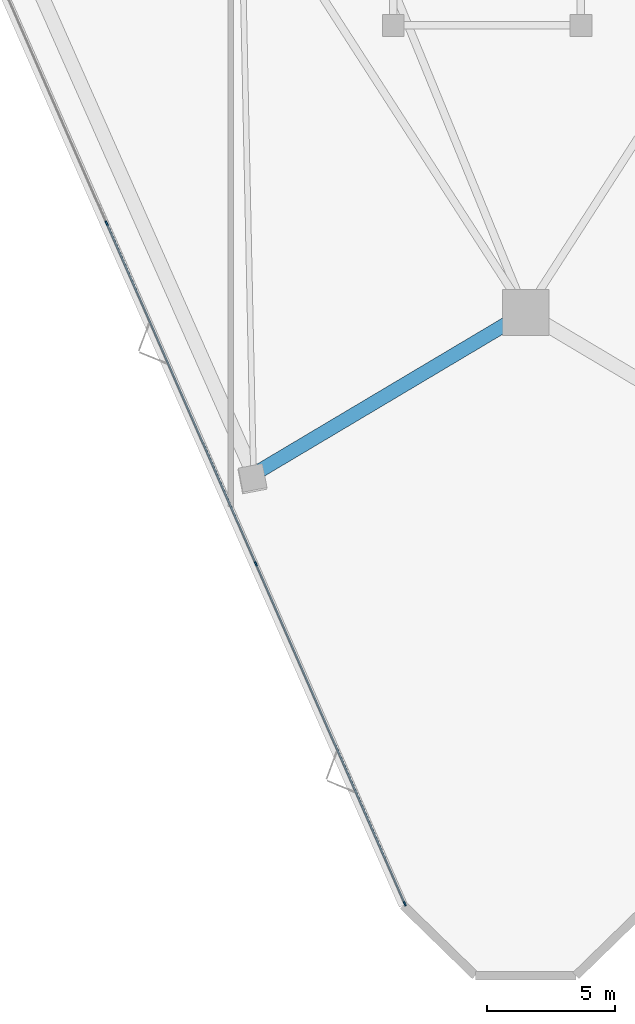
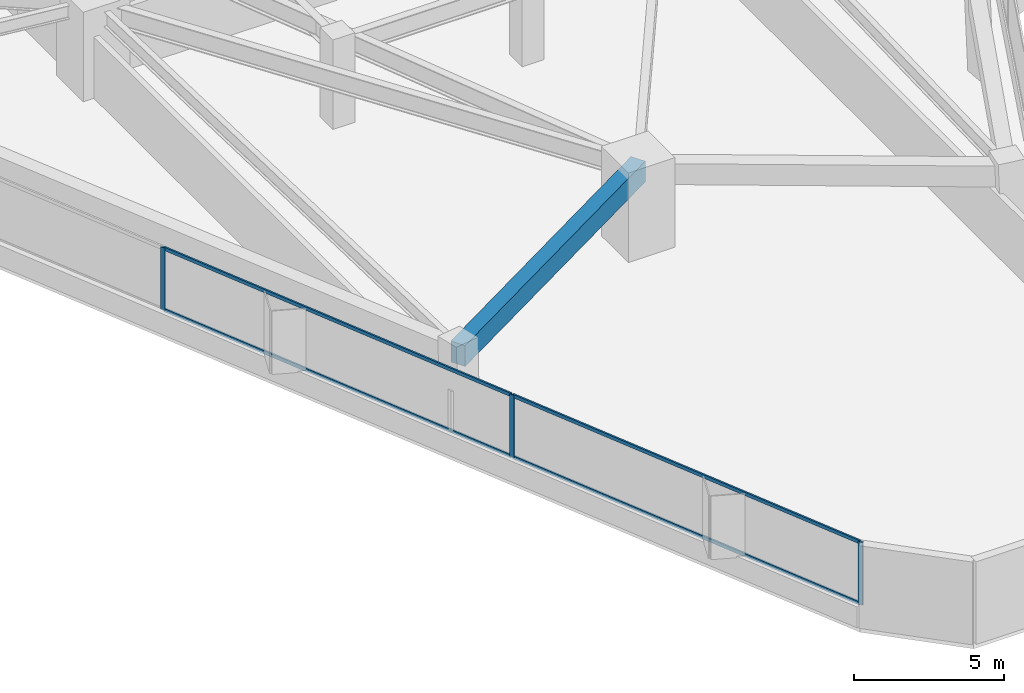
# One storey, part 2 of 20: 7 members, 1 beam, 1 element without a shape of its own.
"""IFC4 building model written with IfcOpenShell, lengths in metres."""

from ifc_helpers import new_model, si_unit, direction, frame, origin, origin_2d, place, context, subcontext, project, spatial, rectangle, extrude, material, layer, layer_set, material_profile, profile_set, type_object, element, aggregate, save


model = new_model("IFC4")

# Units and contexts
model_context = context("Model", 3, precision=1e-05, world=origin(), true_north=direction((0.0, 1.0)))
body_context = subcontext(model_context, "Body", "Model", "MODEL_VIEW")
ifc_project = project(units=[si_unit("LENGTHUNIT", "METRE"), si_unit("AREAUNIT", "SQUARE_METRE"), si_unit("VOLUMEUNIT", "CUBIC_METRE"), si_unit("PLANEANGLEUNIT", "RADIAN"), si_unit("MASSUNIT", "GRAM", prefix="KILO")], contexts=[model_context])

# Site, building, storey
site_placement = place(None, origin())
site = spatial("IfcSite", under=ifc_project, at=site_placement, CompositionType="ELEMENT")
building_placement = place(site_placement, origin())
building = spatial("IfcBuilding", under=site, at=building_placement, Name="Talyreon Biosciences Tower", CompositionType="ELEMENT")
storey_placement = place(building_placement, frame((0.0, 0.0, 41.050048828125)))
storey = spatial("IfcBuildingStorey", under=building, at=storey_placement, Name="L10", CompositionType="ELEMENT", Elevation=41.050048828125)

# Curtain wall, members
ifc_material_1 = material(Name="Thermally broken aluminium and low-E glazing", Category="aluminium")
ifc_layer = layer(ifc_material_1, 0.195068359375)
ifc_layer_set = layer_set([ifc_layer], Name="Thermally broken aluminium and low-E glazing")
curtain_wall_type = type_object("IfcCurtainWallType", Name="CurtainWall_Zone1WetLab", PredefinedType="NOTDEFINED", material=ifc_layer_set)
curtain_wall_placement = place(storey_placement, origin())
curtain_wall = element("IfcCurtainWall", 1, at=curtain_wall_placement, inside=storey, type_object=curtain_wall_type, Name="L10 Unitised Curtain Wall FCW-L10-00", PredefinedType="NOTDEFINED")
ifc_material_2 = material(Name="Anodised thermally broken aluminium", Category="aluminium")
ifc_material_profile_1 = material_profile(ifc_material_2, rectangle(XDim=0.06494140625, YDim=0.179931640625, at=origin_2d()), Name="ALUM MULLION 65x180")
ifc_profile_set_1 = profile_set([ifc_material_profile_1], Name="Anodised thermally broken aluminium")
member_type_1 = type_object("IfcMemberType", Name="CWMullion_65x180", PredefinedType="MULLION", material=ifc_profile_set_1)
member_1_placement = place(storey_placement, frame((61.297119140625, 18.651611328125, 0.81005859375), z_axis=(0.0, 0.0, 1.0), x_axis=(-0.915980408101, -0.401222995321, 0.0)))
member_1 = element("IfcMember", 2, at=member_1_placement, type_object=member_type_1, Name="CW2 mullion 1", PredefinedType="MULLION", context=body_context, shape_type="SweptSolid", body=[
    extrude(rectangle(XDim=0.06494140625, YDim=0.179931640625, at=origin_2d()), origin(), (0.0, 0.0, 1.0), 2.56494140625),
])
member_2_placement = place(storey_placement, frame((55.5009765625, 31.884033203125, 0.81005859375), z_axis=(0.0, 0.0, 1.0), x_axis=(-0.915980408101, -0.401222995321, 0.0)))
member_2 = element("IfcMember", 3, at=member_2_placement, type_object=member_type_1, Name="CW2 mullion 2", PredefinedType="MULLION", context=body_context, shape_type="SweptSolid", body=[
    extrude(rectangle(XDim=0.06494140625, YDim=0.179931640625, at=origin_2d()), origin(), (0.0, 0.0, 1.0), 2.56494140625),
])
member_3_placement = place(storey_placement, frame((49.691650390625, 45.146240234375, 0.81005859375), z_axis=(0.0, 0.0, 1.0), x_axis=(-0.915980408101, -0.401222995321, 0.0)))
member_3 = element("IfcMember", 4, at=member_3_placement, type_object=member_type_1, Name="CW2 mullion 3", PredefinedType="MULLION", context=body_context, shape_type="SweptSolid", body=[
    extrude(rectangle(XDim=0.06494140625, YDim=0.179931640625, at=origin_2d()), origin(), (0.0, 0.0, 1.0), 2.56494140625),
])
ifc_material_profile_2 = material_profile(ifc_material_2, rectangle(XDim=0.06494140625, YDim=0.139892578125, at=origin_2d()), Name="ALUM TRANSOM 65x140")
ifc_profile_set_2 = profile_set([ifc_material_profile_2], Name="Anodised thermally broken aluminium")
member_type_2 = type_object("IfcMemberType", Name="CWTransom_65x140", PredefinedType="USERDEFINED", material=ifc_profile_set_2)
member_4_placement = place(storey_placement, frame((61.2841796875, 18.681396484375, 0.842529296875), z_axis=(-0.401235575377, 0.91597489761, 0.0), x_axis=(-0.91597489761, -0.401235575377, 0.0)))
member_4 = element("IfcMember", 5, at=member_4_placement, type_object=member_type_2, Name="CW2 transom 1.1", ObjectType="TRANSOM", PredefinedType="USERDEFINED", context=body_context, shape_type="SweptSolid", body=[
    extrude(rectangle(XDim=0.06494140625, YDim=0.139892578125, at=origin_2d()), origin(), (0.0, 0.0, 1.0), 14.38134765625),
])
member_5_placement = place(storey_placement, frame((61.2841796875, 18.681396484375, 3.342529296875), z_axis=(-0.401235575377, 0.91597489761, 0.0), x_axis=(-0.91597489761, -0.401235575377, 0.0)))
member_5 = element("IfcMember", 6, at=member_5_placement, type_object=member_type_2, Name="CW2 transom 1.2", ObjectType="TRANSOM", PredefinedType="USERDEFINED", context=body_context, shape_type="SweptSolid", body=[
    extrude(rectangle(XDim=0.06494140625, YDim=0.139892578125, at=origin_2d()), origin(), (0.0, 0.0, 1.0), 14.38134765625),
])
member_6_placement = place(storey_placement, frame((55.488037109375, 31.913818359375, 0.842529296875), z_axis=(-0.401223081321, 0.915980370431, 0.0), x_axis=(-0.915980370431, -0.401223081321, 0.0)))
member_6 = element("IfcMember", 7, at=member_6_placement, type_object=member_type_2, Name="CW2 transom 2.1", ObjectType="TRANSOM", PredefinedType="USERDEFINED", context=body_context, shape_type="SweptSolid", body=[
    extrude(rectangle(XDim=0.06494140625, YDim=0.139892578125, at=origin_2d()), origin(), (0.0, 0.0, 1.0), 14.413818359375),
])
member_7_placement = place(storey_placement, frame((55.488037109375, 31.913818359375, 3.342529296875), z_axis=(-0.401223081321, 0.915980370431, 0.0), x_axis=(-0.915980370431, -0.401223081321, 0.0)))
member_7 = element("IfcMember", 8, at=member_7_placement, type_object=member_type_2, Name="CW2 transom 2.2", ObjectType="TRANSOM", PredefinedType="USERDEFINED", context=body_context, shape_type="SweptSolid", body=[
    extrude(rectangle(XDim=0.06494140625, YDim=0.139892578125, at=origin_2d()), origin(), (0.0, 0.0, 1.0), 14.413818359375),
])
aggregate(curtain_wall, [member_1, member_2, member_3, member_4, member_5, member_6, member_7])

# Beam
ifc_material_3 = material(Name="Precast concrete C45/55", Category="concrete")
ifc_material_profile_3 = material_profile(ifc_material_3, rectangle(XDim=0.550048828125, YDim=0.85009765625, at=origin_2d()), Name="RCB 550x850")
ifc_profile_set_3 = profile_set([ifc_material_profile_3], Name="Precast concrete C45/55")
beam_type = type_object("IfcBeamType", Name="ExpressedSpandrel_550x850", PredefinedType="SPANDREL", material=ifc_profile_set_3)
beam_placement = place(storey_placement, frame((55.409423828125, 35.36328125, 2.949951171875), z_axis=(0.859300139655, 0.51147167076, 0.0), x_axis=(-0.51147167076, 0.859300139655, 0.0)))
element("IfcBeam", 9, at=beam_placement, inside=storey, type_object=beam_type, Name="L10 Expressed Horizontal Concrete Spandrel 12", PredefinedType="SPANDREL", context=body_context, shape_type="SweptSolid", body=[
    extrude(rectangle(XDim=0.550048828125, YDim=0.85009765625, at=origin_2d()), origin(), (0.0, 0.0, 1.0), 12.32470703125),
])

save(model, "model.ifc")
